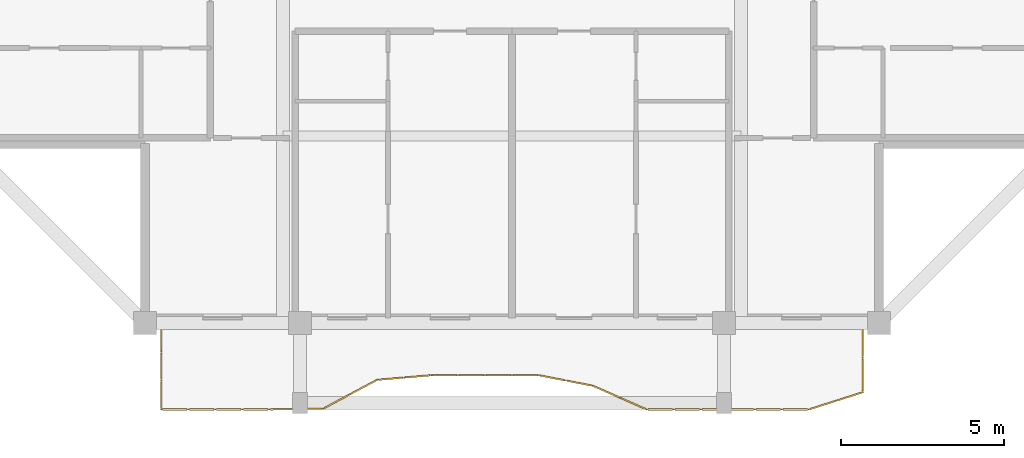
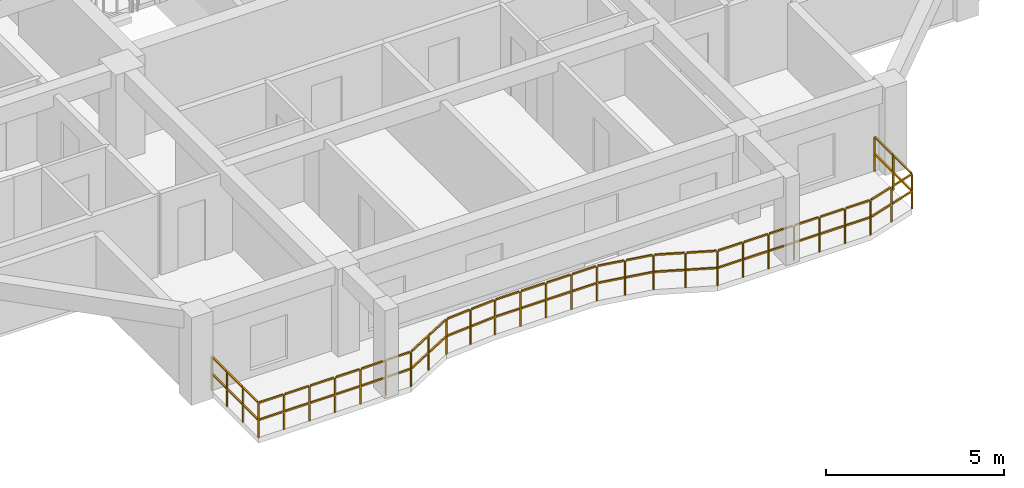
# One storey, part 9 of 13: 1 railing.
"""IFC4 building model written with IfcOpenShell, lengths in metres."""

import ifcopenshell
import ifcopenshell.guid

model = None  # the IFC model being written
_history = None  # IfcOwnerHistory: only IFC2X3 demands one
_inside = {}  # id of a spatial element -> (the spatial element, [elements in it])
_under = {}  # id of a project, library or spatial element -> (it, [spatial elements below it])
_declared = {}  # id of a project -> (the project, [libraries it declares])
_typed = {}  # id of a type object -> (the type object, [elements of that type])
_made_of = {}  # id of a material, layer set ... -> (it, [elements and type objects made of it])


def new_model(schema):
    """Start an empty IFC model of exactly this schema.

    Asked for "IFC4X3", IfcOpenShell would pick the latest addendum, in which some entities
    have other attributes; the version numbers below select the first issue.
    IFC2X3 requires an IfcOwnerHistory on every rooted entity: one is made here for all.
    """
    global model, _history
    if schema == "IFC4X3":
        model = ifcopenshell.file(schema_version=(4, 3, 0, 0))
    else:
        model = ifcopenshell.file(schema=schema)
    _inside.clear()
    _under.clear()
    _declared.clear()
    _typed.clear()
    _made_of.clear()
    _history = None
    if model.schema == "IFC2X3":
        org = make("IfcOrganization", Name="unknown")
        user = make(
            "IfcPersonAndOrganization",
            ThePerson=make("IfcPerson", FamilyName="unknown"),
            TheOrganization=org,
        )
        app = make(
            "IfcApplication",
            ApplicationDeveloper=org,
            Version="unknown",
            ApplicationFullName="unknown",
            ApplicationIdentifier="unknown",
        )
        _history = make(
            "IfcOwnerHistory",
            OwningUser=user,
            OwningApplication=app,
            ChangeAction="ADDED",
            CreationDate=0,
        )
    return model


def make(cls, **values):
    """One entity of the class cls with the attributes given. An attribute that is None is left unset."""
    return model.create_entity(
        cls, **{name: value for name, value in values.items() if value is not None}
    )


def rooted(cls, **values):
    """An entity with a GlobalId (a new one), such as an element, a storey or a relation."""
    return make(cls, GlobalId=ifcopenshell.guid.new(), OwnerHistory=_history, **values)


def si_unit(unit_type, name, prefix=None):
    """IfcSIUnit, for example si_unit("LENGTHUNIT", "METRE", prefix="MILLI")."""
    return make("IfcSIUnit", UnitType=unit_type, Prefix=prefix, Name=name)


def assignment(units):
    """IfcUnitAssignment: the units of a project."""
    return None if units is None else make("IfcUnitAssignment", Units=units)


def point(xyz):
    """IfcCartesianPoint."""
    return None if xyz is None else make("IfcCartesianPoint", Coordinates=xyz)


def direction(xyz):
    """IfcDirection."""
    return None if xyz is None else make("IfcDirection", DirectionRatios=xyz)


def frame(location, z_axis=None, x_axis=None):
    """IfcAxis2Placement3D, a coordinate frame: its origin and axes. An axis left out is left unset."""
    return make(
        "IfcAxis2Placement3D",
        Location=point(location),
        Axis=direction(z_axis),
        RefDirection=direction(x_axis),
    )


def frame_2d(location, x_axis=None):
    """IfcAxis2Placement2D, a coordinate frame in the plane: its origin and x axis."""
    return make(
        "IfcAxis2Placement2D", Location=point(location), RefDirection=direction(x_axis)
    )


def origin():
    """The frame at (0, 0, 0) with its axes left unset."""
    return frame((0.0, 0.0, 0.0))


def origin_2d():
    """The frame at (0, 0) in the plane with its x axis left unset."""
    return frame_2d((0.0, 0.0))


def place(relative_to, where):
    """IfcLocalPlacement: puts the frame where relative to a parent placement (None: the world)."""
    return make(
        "IfcLocalPlacement", PlacementRelTo=relative_to, RelativePlacement=where
    )


def context(
    kind, dimensions, precision=None, world=None, true_north=None, identifier=None
):
    """IfcGeometricRepresentationContext, for example the 3D "Model" context."""
    return make(
        "IfcGeometricRepresentationContext",
        ContextIdentifier=identifier,
        ContextType=kind,
        CoordinateSpaceDimension=dimensions,
        Precision=precision,
        WorldCoordinateSystem=world,
        TrueNorth=true_north,
    )


def subcontext(parent, identifier, kind, view, scale=None):
    """IfcGeometricRepresentationSubContext, for example "Body" below "Model"."""
    return make(
        "IfcGeometricRepresentationSubContext",
        ContextIdentifier=identifier,
        ContextType=kind,
        ParentContext=parent,
        TargetScale=scale,
        TargetView=view,
    )


def project(units=None, contexts=None):
    """IfcProject with its units and contexts."""
    return rooted(
        "IfcProject",
        Name="project",
        RepresentationContexts=contexts,
        UnitsInContext=assignment(units),
    )


def spatial(cls, under=None, at=None, **own):
    """A site, building, storey or space (cls), placed at a placement, below another one or the project."""
    s = rooted(cls, ObjectPlacement=at, **own)
    if under is not None:
        _under.setdefault(under.id(), (under, []))[1].append(s)
    return s


def profile(cls, at=None, kind="AREA", **sizes):
    """A parametric profile (cls). Its sizes go by their IFC names, for example OverallWidth=200.0."""
    return make(cls, ProfileType=kind, Position=at, **sizes)


def rectangle(**sizes):
    """IfcRectangleProfileDef."""
    return profile("IfcRectangleProfileDef", **sizes)


def extrude(swept, where, along, depth):
    """IfcExtrudedAreaSolid: the profile swept, set in the frame where, extruded along a direction by depth."""
    return make(
        "IfcExtrudedAreaSolid",
        SweptArea=swept,
        Position=where,
        ExtrudedDirection=direction(along),
        Depth=depth,
    )


def shape(context_of_items, identifier, shape_type, items):
    """IfcShapeRepresentation: the items that make up one representation, for example the "Body"."""
    return make(
        "IfcShapeRepresentation",
        ContextOfItems=context_of_items,
        RepresentationIdentifier=identifier,
        RepresentationType=shape_type,
        Items=items,
    )


def material(Name=None, Category=None):
    """IfcMaterial."""
    return make("IfcMaterial", Name=Name, Category=Category)


def made_of(thing, what):
    """Note that an element or type object is made of a material, layer set ...; save() writes the relation."""
    if what is not None:
        _made_of.setdefault(what.id(), (what, []))[1].append(thing)
    return thing


def type_object(cls, material=None, **own):
    """A type object (cls), such as IfcWallType, which elements share."""
    return made_of(rooted(cls, **own), material)


def element(
    cls,
    number,
    at=None,
    inside=None,
    cuts=None,
    type_object=None,
    material=None,
    context=None,
    identifier="Body",
    shape_type=None,
    held_by="IfcProductDefinitionShape",
    body=None,
    shapes=None,
    **own,
):
    """One element of the class cls, such as IfcWall. Its Tag is "e" and its number.

    at: its placement. inside: the storey or other place that contains it. cuts: it is an
    opening in that element (IfcRelVoidsElement). A single representation is given by context,
    identifier, shape_type and body (its items); several are given by shapes. held_by: the class
    of the entity that holds the representations. save() writes the other relations.
    """
    e = rooted(cls, Tag="e%d" % number, ObjectPlacement=at, **own)
    if body is not None:
        shapes = [shape(context, identifier, shape_type, body)]
    if shapes is not None:
        e.Representation = make(held_by, Representations=shapes)
    if inside is not None:
        _inside.setdefault(inside.id(), (inside, []))[1].append(e)
    if cuts is not None:
        rooted(
            "IfcRelVoidsElement", RelatingBuildingElement=cuts, RelatedOpeningElement=e
        )
    if type_object is not None:
        _typed.setdefault(type_object.id(), (type_object, []))[1].append(e)
    return made_of(e, material)


def aggregate(whole, parts):
    """IfcRelAggregates: a whole, such as a stair, and the parts it consists of."""
    return rooted("IfcRelAggregates", RelatingObject=whole, RelatedObjects=parts)


def save(model, path):
    """Write the relations noted so far, then the file.

    IfcRelAggregates (storeys below a building ...), IfcRelContainedInSpatialStructure (elements
    in a storey), IfcRelDefinesByType, IfcRelAssociatesMaterial and IfcRelDeclares: one each for
    every whole, place, type object, material and project.
    """
    for whole, parts in _under.values():
        aggregate(whole, parts)
    for where, things in _inside.values():
        rooted(
            "IfcRelContainedInSpatialStructure",
            RelatedElements=things,
            RelatingStructure=where,
        )
    for kind, things in _typed.values():
        rooted("IfcRelDefinesByType", RelatedObjects=things, RelatingType=kind)
    for what, things in _made_of.values():
        rooted("IfcRelAssociatesMaterial", RelatedObjects=things, RelatingMaterial=what)
    for by, libraries in _declared.values():
        rooted("IfcRelDeclares", RelatingContext=by, RelatedDefinitions=libraries)
    model.write(path)


model = new_model("IFC4")

# Units and contexts
model_context = context("Model", 3, precision=1e-05, world=origin(), true_north=direction((0.0, 1.0)))
body_context = subcontext(model_context, "Body", "Model", "MODEL_VIEW")
ifc_project = project(units=[si_unit("LENGTHUNIT", "METRE"), si_unit("AREAUNIT", "SQUARE_METRE"), si_unit("VOLUMEUNIT", "CUBIC_METRE"), si_unit("PLANEANGLEUNIT", "RADIAN"), si_unit("MASSUNIT", "GRAM", prefix="KILO")], contexts=[model_context])

# Site, building, storey
site_placement = place(None, origin())
site = spatial("IfcSite", under=ifc_project, at=site_placement, CompositionType="ELEMENT")
building_placement = place(site_placement, origin())
building = spatial("IfcBuilding", under=site, at=building_placement, Name="Saelheon Loggia Tower", CompositionType="ELEMENT")
storey_placement = place(building_placement, frame((0.0, 0.0, 223.199951171875)))
storey = spatial("IfcBuildingStorey", under=building, at=storey_placement, Name="L69", CompositionType="ELEMENT", Elevation=223.199951171875)

# Railing
ifc_material = material(Name="Architectural Precast Concrete and Laminated Glass Guard", Category="concrete")
railing_type = type_object("IfcRailingType", Name="Guard_Loggia_RL_LOG", PredefinedType="BALUSTRADE", material=ifc_material)
railing_placement = place(storey_placement, frame((27.25, 6.0, 0.0)))
element("IfcRailing", 1, at=railing_placement, inside=storey, type_object=railing_type, Name="L69 South Loggia Balustrade", PredefinedType="BALUSTRADE", context=body_context, shape_type="SweptSolid", body=[
    extrude(rectangle(XDim=0.048095703125, YDim=0.048095703125, at=origin_2d()), frame((0.0, -0.033203125, 1.19580078125), z_axis=(0.0, -1.0, 0.0), x_axis=(1.0, 0.0, 0.0)), (0.0, 0.0, 1.0), 0.81689453125),
    extrude(rectangle(XDim=0.048095703125, YDim=0.048095703125, at=origin_2d()), frame((0.0, -0.033203125, 0.60986328125), z_axis=(0.0, -1.0, 0.0), x_axis=(1.0, 0.0, 0.0)), (0.0, 0.0, 1.0), 0.81689453125),
    extrude(rectangle(XDim=0.048095703125, YDim=0.048095703125, at=origin_2d()), frame((0.0, -0.91650390625, 1.19580078125), z_axis=(0.0, -1.0, 0.0), x_axis=(1.0, 0.0, 0.0)), (0.0, 0.0, 1.0), 0.81689453125),
    extrude(rectangle(XDim=0.048095703125, YDim=0.048095703125, at=origin_2d()), frame((0.0, -0.91650390625, 0.60986328125), z_axis=(0.0, -1.0, 0.0), x_axis=(1.0, 0.0, 0.0)), (0.0, 0.0, 1.0), 0.81689453125),
    extrude(rectangle(XDim=0.048095703125, YDim=0.048095703125, at=origin_2d()), frame((0.0, -1.7998046875, 1.19580078125), z_axis=(0.0, -1.0, 0.0), x_axis=(1.0, 0.0, 0.0)), (0.0, 0.0, 1.0), 0.81689453125),
    extrude(rectangle(XDim=0.048095703125, YDim=0.048095703125, at=origin_2d()), frame((0.0, -1.7998046875, 0.60986328125), z_axis=(0.0, -1.0, 0.0), x_axis=(1.0, 0.0, 0.0)), (0.0, 0.0, 1.0), 0.81689453125),
    extrude(rectangle(XDim=0.048095703125, YDim=0.048095703125, at=origin_2d()), frame((0.033203125, -2.64990234375, 1.19580078125), z_axis=(1.0, 0.0, 0.0), x_axis=(0.0, 1.0, 0.0)), (0.0, 0.0, 1.0), 0.760498046875),
    extrude(rectangle(XDim=0.048095703125, YDim=0.048095703125, at=origin_2d()), frame((0.033203125, -2.64990234375, 0.60986328125), z_axis=(1.0, 0.0, 0.0), x_axis=(0.0, 1.0, 0.0)), (0.0, 0.0, 1.0), 0.760498046875),
    extrude(rectangle(XDim=0.048095703125, YDim=0.048095703125, at=origin_2d()), frame((0.860107421875, -2.64990234375, 1.19580078125), z_axis=(1.0, 0.0, 0.0), x_axis=(0.0, 1.0, 0.0)), (0.0, 0.0, 1.0), 0.760498046875),
    extrude(rectangle(XDim=0.048095703125, YDim=0.048095703125, at=origin_2d()), frame((0.860107421875, -2.64990234375, 0.60986328125), z_axis=(1.0, 0.0, 0.0), x_axis=(0.0, 1.0, 0.0)), (0.0, 0.0, 1.0), 0.760498046875),
    extrude(rectangle(XDim=0.048095703125, YDim=0.048095703125, at=origin_2d()), frame((1.68701171875, -2.64990234375, 1.19580078125), z_axis=(1.0, 0.0, 0.0), x_axis=(0.0, 1.0, 0.0)), (0.0, 0.0, 1.0), 0.760498046875),
    extrude(rectangle(XDim=0.048095703125, YDim=0.048095703125, at=origin_2d()), frame((1.68701171875, -2.64990234375, 0.60986328125), z_axis=(1.0, 0.0, 0.0), x_axis=(0.0, 1.0, 0.0)), (0.0, 0.0, 1.0), 0.760498046875),
    extrude(rectangle(XDim=0.048095703125, YDim=0.048095703125, at=origin_2d()), frame((2.513916015625, -2.64990234375, 1.19580078125), z_axis=(1.0, 0.0, 0.0), x_axis=(0.0, 1.0, 0.0)), (0.0, 0.0, 1.0), 0.760498046875),
    extrude(rectangle(XDim=0.048095703125, YDim=0.048095703125, at=origin_2d()), frame((2.513916015625, -2.64990234375, 0.60986328125), z_axis=(1.0, 0.0, 0.0), x_axis=(0.0, 1.0, 0.0)), (0.0, 0.0, 1.0), 0.760498046875),
    extrude(rectangle(XDim=0.048095703125, YDim=0.048095703125, at=origin_2d()), frame((3.3408203125, -2.6494140625, 1.19580078125), z_axis=(0.999865773542, 0.016383983003, 0.0), x_axis=(-0.016383983003, 0.999865773542, 0.0)), (0.0, 0.0, 1.0), 0.760498046875),
    extrude(rectangle(XDim=0.048095703125, YDim=0.048095703125, at=origin_2d()), frame((3.3408203125, -2.6494140625, 0.60986328125), z_axis=(0.999865773542, 0.016383983003, 0.0), x_axis=(-0.016383983003, 0.999865773542, 0.0)), (0.0, 0.0, 1.0), 0.760498046875),
    extrude(rectangle(XDim=0.048095703125, YDim=0.048095703125, at=origin_2d()), frame((4.167724609375, -2.6357421875, 1.19580078125), z_axis=(0.999865773542, 0.016383983003, 0.0), x_axis=(-0.016383983003, 0.999865773542, 0.0)), (0.0, 0.0, 1.0), 0.760498046875),
    extrude(rectangle(XDim=0.048095703125, YDim=0.048095703125, at=origin_2d()), frame((4.167724609375, -2.6357421875, 0.60986328125), z_axis=(0.999865773542, 0.016383983003, 0.0), x_axis=(-0.016383983003, 0.999865773542, 0.0)), (0.0, 0.0, 1.0), 0.760498046875),
    extrude(rectangle(XDim=0.048095703125, YDim=0.048095703125, at=origin_2d()), frame((4.99072265625, -2.607177734375, 1.19580078125), z_axis=(0.882316888407, 0.470655828001, 0.0), x_axis=(-0.470655828001, 0.882316888407, 0.0)), (0.0, 0.0, 1.0), 0.870849609375),
    extrude(rectangle(XDim=0.048095703125, YDim=0.048095703125, at=origin_2d()), frame((4.99072265625, -2.607177734375, 0.60986328125), z_axis=(0.882316888407, 0.470655828001, 0.0), x_axis=(-0.470655828001, 0.882316888407, 0.0)), (0.0, 0.0, 1.0), 0.870849609375),
    extrude(rectangle(XDim=0.048095703125, YDim=0.048095703125, at=origin_2d()), frame((5.81787109375, -2.166015625, 1.19580078125), z_axis=(0.882316888407, 0.470655828001, 0.0), x_axis=(-0.470655828001, 0.882316888407, 0.0)), (0.0, 0.0, 1.0), 0.870849609375),
    extrude(rectangle(XDim=0.048095703125, YDim=0.048095703125, at=origin_2d()), frame((5.81787109375, -2.166015625, 0.60986328125), z_axis=(0.882316888407, 0.470655828001, 0.0), x_axis=(-0.470655828001, 0.882316888407, 0.0)), (0.0, 0.0, 1.0), 0.870849609375),
    extrude(rectangle(XDim=0.048095703125, YDim=0.048095703125, at=origin_2d()), frame((6.648681640625, -1.737548828125, 1.19580078125), z_axis=(0.996416757966, 0.084579219934, 0.0), x_axis=(-0.084579219934, 0.996416757966, 0.0)), (0.0, 0.0, 1.0), 0.763427734375),
    extrude(rectangle(XDim=0.048095703125, YDim=0.048095703125, at=origin_2d()), frame((6.648681640625, -1.737548828125, 0.60986328125), z_axis=(0.996416757966, 0.084579219934, 0.0), x_axis=(-0.084579219934, 0.996416757966, 0.0)), (0.0, 0.0, 1.0), 0.763427734375),
    extrude(rectangle(XDim=0.048095703125, YDim=0.048095703125, at=origin_2d()), frame((7.4755859375, -1.66748046875, 1.19580078125), z_axis=(0.996416757966, 0.084579219934, 0.0), x_axis=(-0.084579219934, 0.996416757966, 0.0)), (0.0, 0.0, 1.0), 0.763427734375),
    extrude(rectangle(XDim=0.048095703125, YDim=0.048095703125, at=origin_2d()), frame((7.4755859375, -1.66748046875, 0.60986328125), z_axis=(0.996416757966, 0.084579219934, 0.0), x_axis=(-0.084579219934, 0.996416757966, 0.0)), (0.0, 0.0, 1.0), 0.763427734375),
    extrude(rectangle(XDim=0.048095703125, YDim=0.048095703125, at=origin_2d()), frame((8.302490234375, -1.60009765625, 1.19580078125), z_axis=(1.0, 0.0, 0.0), x_axis=(0.0, 1.0, 0.0)), (0.0, 0.0, 1.0), 0.760498046875),
    extrude(rectangle(XDim=0.048095703125, YDim=0.048095703125, at=origin_2d()), frame((8.302490234375, -1.60009765625, 0.60986328125), z_axis=(1.0, 0.0, 0.0), x_axis=(0.0, 1.0, 0.0)), (0.0, 0.0, 1.0), 0.760498046875),
    extrude(rectangle(XDim=0.048095703125, YDim=0.048095703125, at=origin_2d()), frame((9.12939453125, -1.60009765625, 1.19580078125), z_axis=(1.0, 0.0, 0.0), x_axis=(0.0, 1.0, 0.0)), (0.0, 0.0, 1.0), 0.760498046875),
    extrude(rectangle(XDim=0.048095703125, YDim=0.048095703125, at=origin_2d()), frame((9.12939453125, -1.60009765625, 0.60986328125), z_axis=(1.0, 0.0, 0.0), x_axis=(0.0, 1.0, 0.0)), (0.0, 0.0, 1.0), 0.760498046875),
    extrude(rectangle(XDim=0.048095703125, YDim=0.048095703125, at=origin_2d()), frame((9.956298828125, -1.60009765625, 1.19580078125), z_axis=(1.0, 0.0, 0.0), x_axis=(0.0, 1.0, 0.0)), (0.0, 0.0, 1.0), 0.760498046875),
    extrude(rectangle(XDim=0.048095703125, YDim=0.048095703125, at=origin_2d()), frame((9.956298828125, -1.60009765625, 0.60986328125), z_axis=(1.0, 0.0, 0.0), x_axis=(0.0, 1.0, 0.0)), (0.0, 0.0, 1.0), 0.760498046875),
    extrude(rectangle(XDim=0.048095703125, YDim=0.048095703125, at=origin_2d()), frame((10.783203125, -1.60009765625, 1.19580078125), z_axis=(1.0, 0.0, 0.0), x_axis=(0.0, 1.0, 0.0)), (0.0, 0.0, 1.0), 0.760498046875),
    extrude(rectangle(XDim=0.048095703125, YDim=0.048095703125, at=origin_2d()), frame((10.783203125, -1.60009765625, 0.60986328125), z_axis=(1.0, 0.0, 0.0), x_axis=(0.0, 1.0, 0.0)), (0.0, 0.0, 1.0), 0.760498046875),
    extrude(rectangle(XDim=0.048095703125, YDim=0.048095703125, at=origin_2d()), frame((11.609619140625, -1.6064453125, 1.19580078125), z_axis=(0.981456700783, -0.191683970348, 0.0), x_axis=(0.191683970348, 0.981456700783, 0.0)), (0.0, 0.0, 1.0), 0.776123046875),
    extrude(rectangle(XDim=0.048095703125, YDim=0.048095703125, at=origin_2d()), frame((11.609619140625, -1.6064453125, 0.60986328125), z_axis=(0.981456700783, -0.191683970348, 0.0), x_axis=(0.191683970348, 0.981456700783, 0.0)), (0.0, 0.0, 1.0), 0.776123046875),
    extrude(rectangle(XDim=0.048095703125, YDim=0.048095703125, at=origin_2d()), frame((12.4365234375, -1.76806640625, 1.19580078125), z_axis=(0.981456700783, -0.191683970348, 0.0), x_axis=(0.191683970348, 0.981456700783, 0.0)), (0.0, 0.0, 1.0), 0.776123046875),
    extrude(rectangle(XDim=0.048095703125, YDim=0.048095703125, at=origin_2d()), frame((12.4365234375, -1.76806640625, 0.60986328125), z_axis=(0.981456700783, -0.191683970348, 0.0), x_axis=(0.191683970348, 0.981456700783, 0.0)), (0.0, 0.0, 1.0), 0.776123046875),
    extrude(rectangle(XDim=0.048095703125, YDim=0.048095703125, at=origin_2d()), frame((13.26123046875, -1.9365234375, 1.19580078125), z_axis=(0.915492302722, -0.402335486449, 0.0), x_axis=(0.402335486449, 0.915492302722, 0.0)), (0.0, 0.0, 1.0), 0.836669921875),
    extrude(rectangle(XDim=0.048095703125, YDim=0.048095703125, at=origin_2d()), frame((13.26123046875, -1.9365234375, 0.60986328125), z_axis=(0.915492302722, -0.402335486449, 0.0), x_axis=(0.402335486449, 0.915492302722, 0.0)), (0.0, 0.0, 1.0), 0.836669921875),
    extrude(rectangle(XDim=0.048095703125, YDim=0.048095703125, at=origin_2d()), frame((14.088134765625, -2.2998046875, 1.19580078125), z_axis=(0.915492302722, -0.402335486449, 0.0), x_axis=(0.402335486449, 0.915492302722, 0.0)), (0.0, 0.0, 1.0), 0.836669921875),
    extrude(rectangle(XDim=0.048095703125, YDim=0.048095703125, at=origin_2d()), frame((14.088134765625, -2.2998046875, 0.60986328125), z_axis=(0.915492302722, -0.402335486449, 0.0), x_axis=(0.402335486449, 0.915492302722, 0.0)), (0.0, 0.0, 1.0), 0.836669921875),
    extrude(rectangle(XDim=0.048095703125, YDim=0.048095703125, at=origin_2d()), frame((14.917724609375, -2.64990234375, 1.19580078125), z_axis=(1.0, 0.0, 0.0), x_axis=(0.0, 1.0, 0.0)), (0.0, 0.0, 1.0), 0.760498046875),
    extrude(rectangle(XDim=0.048095703125, YDim=0.048095703125, at=origin_2d()), frame((14.917724609375, -2.64990234375, 0.60986328125), z_axis=(1.0, 0.0, 0.0), x_axis=(0.0, 1.0, 0.0)), (0.0, 0.0, 1.0), 0.760498046875),
    extrude(rectangle(XDim=0.048095703125, YDim=0.048095703125, at=origin_2d()), frame((15.744873046875, -2.64990234375, 1.19580078125), z_axis=(1.0, 0.0, 0.0), x_axis=(0.0, 1.0, 0.0)), (0.0, 0.0, 1.0), 0.760498046875),
    extrude(rectangle(XDim=0.048095703125, YDim=0.048095703125, at=origin_2d()), frame((15.744873046875, -2.64990234375, 0.60986328125), z_axis=(1.0, 0.0, 0.0), x_axis=(0.0, 1.0, 0.0)), (0.0, 0.0, 1.0), 0.760498046875),
    extrude(rectangle(XDim=0.048095703125, YDim=0.048095703125, at=origin_2d()), frame((16.57177734375, -2.64990234375, 1.19580078125), z_axis=(1.0, 0.0, 0.0), x_axis=(0.0, 1.0, 0.0)), (0.0, 0.0, 1.0), 0.760498046875),
    extrude(rectangle(XDim=0.048095703125, YDim=0.048095703125, at=origin_2d()), frame((16.57177734375, -2.64990234375, 0.60986328125), z_axis=(1.0, 0.0, 0.0), x_axis=(0.0, 1.0, 0.0)), (0.0, 0.0, 1.0), 0.760498046875),
    extrude(rectangle(XDim=0.048095703125, YDim=0.048095703125, at=origin_2d()), frame((17.398681640625, -2.64990234375, 1.19580078125), z_axis=(1.0, 0.0, 0.0), x_axis=(0.0, 1.0, 0.0)), (0.0, 0.0, 1.0), 0.760498046875),
    extrude(rectangle(XDim=0.048095703125, YDim=0.048095703125, at=origin_2d()), frame((17.398681640625, -2.64990234375, 0.60986328125), z_axis=(1.0, 0.0, 0.0), x_axis=(0.0, 1.0, 0.0)), (0.0, 0.0, 1.0), 0.760498046875),
    extrude(rectangle(XDim=0.048095703125, YDim=0.048095703125, at=origin_2d()), frame((18.2255859375, -2.64990234375, 1.19580078125), z_axis=(1.0, 0.0, 0.0), x_axis=(0.0, 1.0, 0.0)), (0.0, 0.0, 1.0), 0.760498046875),
    extrude(rectangle(XDim=0.048095703125, YDim=0.048095703125, at=origin_2d()), frame((18.2255859375, -2.64990234375, 0.60986328125), z_axis=(1.0, 0.0, 0.0), x_axis=(0.0, 1.0, 0.0)), (0.0, 0.0, 1.0), 0.760498046875),
    extrude(rectangle(XDim=0.048095703125, YDim=0.048095703125, at=origin_2d()), frame((19.052490234375, -2.64990234375, 1.19580078125), z_axis=(1.0, 0.0, 0.0), x_axis=(0.0, 1.0, 0.0)), (0.0, 0.0, 1.0), 0.760498046875),
    extrude(rectangle(XDim=0.048095703125, YDim=0.048095703125, at=origin_2d()), frame((19.052490234375, -2.64990234375, 0.60986328125), z_axis=(1.0, 0.0, 0.0), x_axis=(0.0, 1.0, 0.0)), (0.0, 0.0, 1.0), 0.760498046875),
    extrude(rectangle(XDim=0.048095703125, YDim=0.048095703125, at=origin_2d()), frame((19.8779296875, -2.639892578125, 1.19580078125), z_axis=(0.952777889679, 0.303668063746, 0.0), x_axis=(-0.303668063746, 0.952777889679, 0.0)), (0.0, 0.0, 1.0), 0.801513671875),
    extrude(rectangle(XDim=0.048095703125, YDim=0.048095703125, at=origin_2d()), frame((19.8779296875, -2.639892578125, 0.60986328125), z_axis=(0.952777889679, 0.303668063746, 0.0), x_axis=(-0.303668063746, 0.952777889679, 0.0)), (0.0, 0.0, 1.0), 0.801513671875),
    extrude(rectangle(XDim=0.048095703125, YDim=0.048095703125, at=origin_2d()), frame((20.704833984375, -2.376220703125, 1.19580078125), z_axis=(0.952777889679, 0.303668063746, 0.0), x_axis=(-0.303668063746, 0.952777889679, 0.0)), (0.0, 0.0, 1.0), 0.801513671875),
    extrude(rectangle(XDim=0.048095703125, YDim=0.048095703125, at=origin_2d()), frame((20.704833984375, -2.376220703125, 0.60986328125), z_axis=(0.952777889679, 0.303668063746, 0.0), x_axis=(-0.303668063746, 0.952777889679, 0.0)), (0.0, 0.0, 1.0), 0.801513671875),
    extrude(rectangle(XDim=0.048095703125, YDim=0.048095703125, at=origin_2d()), frame((21.5, -2.089599609375, 1.19580078125), z_axis=(0.0, 1.0, 0.0), x_axis=(-1.0, 0.0, 0.0)), (0.0, 0.0, 1.0), 0.994873046875),
    extrude(rectangle(XDim=0.048095703125, YDim=0.048095703125, at=origin_2d()), frame((21.5, -2.089599609375, 0.60986328125), z_axis=(0.0, 1.0, 0.0), x_axis=(-1.0, 0.0, 0.0)), (0.0, 0.0, 1.0), 0.994873046875),
    extrude(rectangle(XDim=0.048095703125, YDim=0.048095703125, at=origin_2d()), frame((21.5, -1.028076171875, 1.19580078125), z_axis=(0.0, 1.0, 0.0), x_axis=(-1.0, 0.0, 0.0)), (0.0, 0.0, 1.0), 0.994873046875),
    extrude(rectangle(XDim=0.048095703125, YDim=0.048095703125, at=origin_2d()), frame((21.5, -1.028076171875, 0.60986328125), z_axis=(0.0, 1.0, 0.0), x_axis=(-1.0, 0.0, 0.0)), (0.0, 0.0, 1.0), 0.994873046875),
    extrude(rectangle(XDim=0.0419921875, YDim=0.0419921875, at=origin_2d()), origin(), (0.0, 0.0, 1.0), 1.16796875),
    extrude(rectangle(XDim=0.0419921875, YDim=0.0419921875, at=origin_2d()), frame((0.0, -0.88330078125, 0.0)), (0.0, 0.0, 1.0), 1.16796875),
    extrude(rectangle(XDim=0.0419921875, YDim=0.0419921875, at=origin_2d()), frame((0.0, -1.7666015625, 0.0)), (0.0, 0.0, 1.0), 1.16796875),
    extrude(rectangle(XDim=0.0419921875, YDim=0.0419921875, at=origin_2d()), frame((0.0, -2.64990234375, 0.0)), (0.0, 0.0, 1.0), 1.16796875),
    extrude(rectangle(XDim=0.0419921875, YDim=0.0419921875, at=origin_2d()), frame((0.826904296875, -2.64990234375, 0.0)), (0.0, 0.0, 1.0), 1.16796875),
    extrude(rectangle(XDim=0.0419921875, YDim=0.0419921875, at=origin_2d()), frame((1.65380859375, -2.64990234375, 0.0)), (0.0, 0.0, 1.0), 1.16796875),
    extrude(rectangle(XDim=0.0419921875, YDim=0.0419921875, at=origin_2d()), frame((2.480712890625, -2.64990234375, 0.0)), (0.0, 0.0, 1.0), 1.16796875),
    extrude(rectangle(XDim=0.0419921875, YDim=0.0419921875, at=origin_2d()), frame((3.3076171875, -2.64990234375, 0.0)), (0.0, 0.0, 1.0), 1.16796875),
    extrude(rectangle(XDim=0.0419921875, YDim=0.0419921875, at=origin_2d()), frame((4.134521484375, -2.63623046875, 0.0)), (0.0, 0.0, 1.0), 1.16796875),
    extrude(rectangle(XDim=0.0419921875, YDim=0.0419921875, at=origin_2d()), frame((4.96142578125, -2.622802734375, 0.0)), (0.0, 0.0, 1.0), 1.16796875),
    extrude(rectangle(XDim=0.0419921875, YDim=0.0419921875, at=origin_2d()), frame((5.78857421875, -2.181640625, 0.0)), (0.0, 0.0, 1.0), 1.16796875),
    extrude(rectangle(XDim=0.0419921875, YDim=0.0419921875, at=origin_2d()), frame((6.615478515625, -1.740478515625, 0.0)), (0.0, 0.0, 1.0), 1.16796875),
    extrude(rectangle(XDim=0.0419921875, YDim=0.0419921875, at=origin_2d()), frame((7.4423828125, -1.67041015625, 0.0)), (0.0, 0.0, 1.0), 1.16796875),
    extrude(rectangle(XDim=0.0419921875, YDim=0.0419921875, at=origin_2d()), frame((8.269287109375, -1.60009765625, 0.0)), (0.0, 0.0, 1.0), 1.16796875),
    extrude(rectangle(XDim=0.0419921875, YDim=0.0419921875, at=origin_2d()), frame((9.09619140625, -1.60009765625, 0.0)), (0.0, 0.0, 1.0), 1.16796875),
    extrude(rectangle(XDim=0.0419921875, YDim=0.0419921875, at=origin_2d()), frame((9.923095703125, -1.60009765625, 0.0)), (0.0, 0.0, 1.0), 1.16796875),
    extrude(rectangle(XDim=0.0419921875, YDim=0.0419921875, at=origin_2d()), frame((10.75, -1.60009765625, 0.0)), (0.0, 0.0, 1.0), 1.16796875),
    extrude(rectangle(XDim=0.0419921875, YDim=0.0419921875, at=origin_2d()), frame((11.576904296875, -1.60009765625, 0.0)), (0.0, 0.0, 1.0), 1.16796875),
    extrude(rectangle(XDim=0.0419921875, YDim=0.0419921875, at=origin_2d()), frame((12.40380859375, -1.76171875, 0.0)), (0.0, 0.0, 1.0), 1.16796875),
    extrude(rectangle(XDim=0.0419921875, YDim=0.0419921875, at=origin_2d()), frame((13.230712890625, -1.923095703125, 0.0)), (0.0, 0.0, 1.0), 1.16796875),
    extrude(rectangle(XDim=0.0419921875, YDim=0.0419921875, at=origin_2d()), frame((14.0576171875, -2.28662109375, 0.0)), (0.0, 0.0, 1.0), 1.16796875),
    extrude(rectangle(XDim=0.0419921875, YDim=0.0419921875, at=origin_2d()), frame((14.884521484375, -2.64990234375, 0.0)), (0.0, 0.0, 1.0), 1.16796875),
    extrude(rectangle(XDim=0.0419921875, YDim=0.0419921875, at=origin_2d()), frame((15.71142578125, -2.64990234375, 0.0)), (0.0, 0.0, 1.0), 1.16796875),
    extrude(rectangle(XDim=0.0419921875, YDim=0.0419921875, at=origin_2d()), frame((16.53857421875, -2.64990234375, 0.0)), (0.0, 0.0, 1.0), 1.16796875),
    extrude(rectangle(XDim=0.0419921875, YDim=0.0419921875, at=origin_2d()), frame((17.365478515625, -2.64990234375, 0.0)), (0.0, 0.0, 1.0), 1.16796875),
    extrude(rectangle(XDim=0.0419921875, YDim=0.0419921875, at=origin_2d()), frame((18.1923828125, -2.64990234375, 0.0)), (0.0, 0.0, 1.0), 1.16796875),
    extrude(rectangle(XDim=0.0419921875, YDim=0.0419921875, at=origin_2d()), frame((19.019287109375, -2.64990234375, 0.0)), (0.0, 0.0, 1.0), 1.16796875),
    extrude(rectangle(XDim=0.0419921875, YDim=0.0419921875, at=origin_2d()), frame((19.84619140625, -2.64990234375, 0.0)), (0.0, 0.0, 1.0), 1.16796875),
    extrude(rectangle(XDim=0.0419921875, YDim=0.0419921875, at=origin_2d()), frame((20.673095703125, -2.38623046875, 0.0)), (0.0, 0.0, 1.0), 1.16796875),
    extrude(rectangle(XDim=0.0419921875, YDim=0.0419921875, at=origin_2d()), frame((21.5, -2.122802734375, 0.0)), (0.0, 0.0, 1.0), 1.16796875),
    extrude(rectangle(XDim=0.0419921875, YDim=0.0419921875, at=origin_2d()), frame((21.5, -1.0615234375, 0.0)), (0.0, 0.0, 1.0), 1.16796875),
    extrude(rectangle(XDim=0.0419921875, YDim=0.0419921875, at=origin_2d()), frame((21.5, 0.0, 0.0)), (0.0, 0.0, 1.0), 1.16796875),
])

save(model, "model.ifc")
